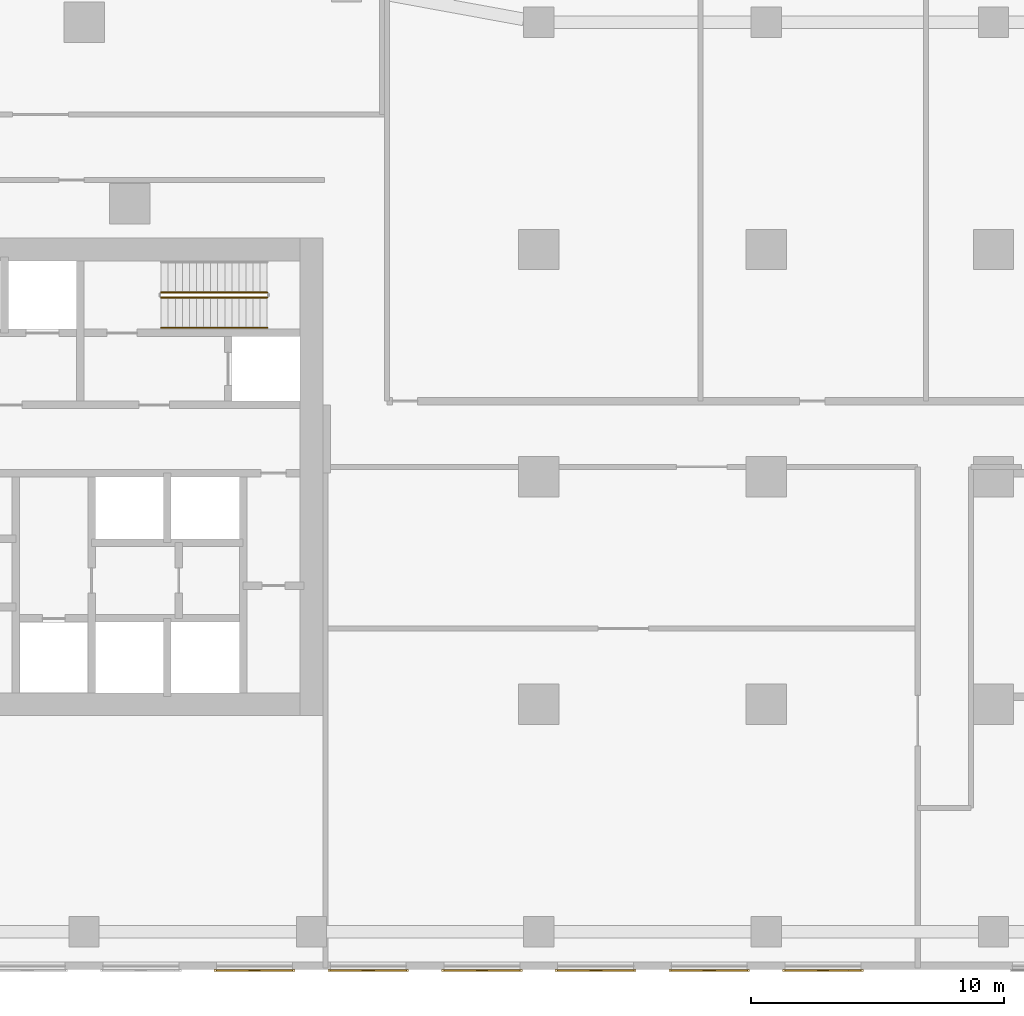
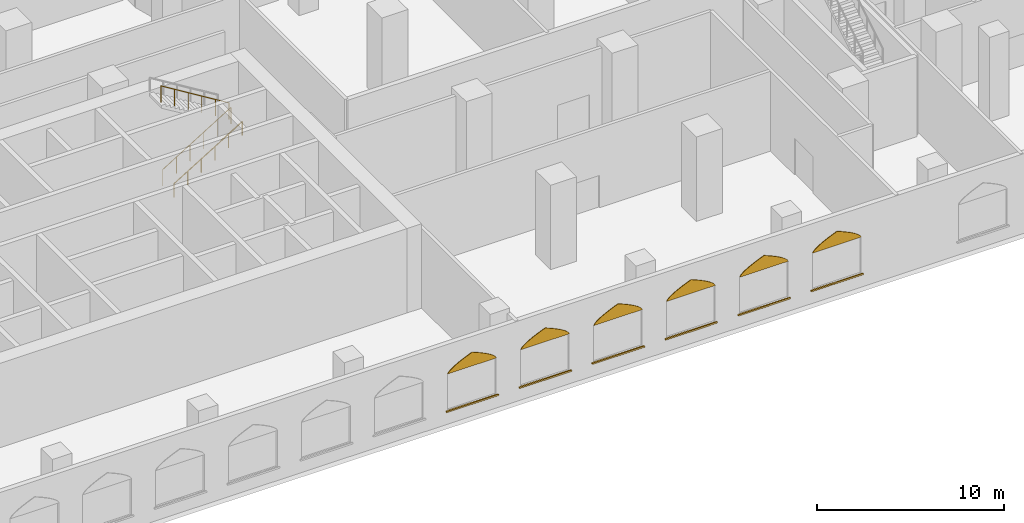
# One storey, part 21 of 31: 12 coverings, 3 railings.
"""IFC4 building model written with IfcOpenShell, lengths in metres."""

import ifcopenshell
import ifcopenshell.guid

model = None  # the IFC model being written
_history = None  # IfcOwnerHistory: only IFC2X3 demands one
_inside = {}  # id of a spatial element -> (the spatial element, [elements in it])
_under = {}  # id of a project, library or spatial element -> (it, [spatial elements below it])
_declared = {}  # id of a project -> (the project, [libraries it declares])
_typed = {}  # id of a type object -> (the type object, [elements of that type])
_made_of = {}  # id of a material, layer set ... -> (it, [elements and type objects made of it])


def new_model(schema):
    """Start an empty IFC model of exactly this schema.

    Asked for "IFC4X3", IfcOpenShell would pick the latest addendum, in which some entities
    have other attributes; the version numbers below select the first issue.
    IFC2X3 requires an IfcOwnerHistory on every rooted entity: one is made here for all.
    """
    global model, _history
    if schema == "IFC4X3":
        model = ifcopenshell.file(schema_version=(4, 3, 0, 0))
    else:
        model = ifcopenshell.file(schema=schema)
    _inside.clear()
    _under.clear()
    _declared.clear()
    _typed.clear()
    _made_of.clear()
    _history = None
    if model.schema == "IFC2X3":
        org = make("IfcOrganization", Name="unknown")
        user = make(
            "IfcPersonAndOrganization",
            ThePerson=make("IfcPerson", FamilyName="unknown"),
            TheOrganization=org,
        )
        app = make(
            "IfcApplication",
            ApplicationDeveloper=org,
            Version="unknown",
            ApplicationFullName="unknown",
            ApplicationIdentifier="unknown",
        )
        _history = make(
            "IfcOwnerHistory",
            OwningUser=user,
            OwningApplication=app,
            ChangeAction="ADDED",
            CreationDate=0,
        )
    return model


def make(cls, **values):
    """One entity of the class cls with the attributes given. An attribute that is None is left unset."""
    return model.create_entity(
        cls, **{name: value for name, value in values.items() if value is not None}
    )


def rooted(cls, **values):
    """An entity with a GlobalId (a new one), such as an element, a storey or a relation."""
    return make(cls, GlobalId=ifcopenshell.guid.new(), OwnerHistory=_history, **values)


def si_unit(unit_type, name, prefix=None):
    """IfcSIUnit, for example si_unit("LENGTHUNIT", "METRE", prefix="MILLI")."""
    return make("IfcSIUnit", UnitType=unit_type, Prefix=prefix, Name=name)


def assignment(units):
    """IfcUnitAssignment: the units of a project."""
    return None if units is None else make("IfcUnitAssignment", Units=units)


def point(xyz):
    """IfcCartesianPoint."""
    return None if xyz is None else make("IfcCartesianPoint", Coordinates=xyz)


def direction(xyz):
    """IfcDirection."""
    return None if xyz is None else make("IfcDirection", DirectionRatios=xyz)


def frame(location, z_axis=None, x_axis=None):
    """IfcAxis2Placement3D, a coordinate frame: its origin and axes. An axis left out is left unset."""
    return make(
        "IfcAxis2Placement3D",
        Location=point(location),
        Axis=direction(z_axis),
        RefDirection=direction(x_axis),
    )


def frame_2d(location, x_axis=None):
    """IfcAxis2Placement2D, a coordinate frame in the plane: its origin and x axis."""
    return make(
        "IfcAxis2Placement2D", Location=point(location), RefDirection=direction(x_axis)
    )


def origin():
    """The frame at (0, 0, 0) with its axes left unset."""
    return frame((0.0, 0.0, 0.0))


def origin_2d():
    """The frame at (0, 0) in the plane with its x axis left unset."""
    return frame_2d((0.0, 0.0))


def place(relative_to, where):
    """IfcLocalPlacement: puts the frame where relative to a parent placement (None: the world)."""
    return make(
        "IfcLocalPlacement", PlacementRelTo=relative_to, RelativePlacement=where
    )


def context(
    kind, dimensions, precision=None, world=None, true_north=None, identifier=None
):
    """IfcGeometricRepresentationContext, for example the 3D "Model" context."""
    return make(
        "IfcGeometricRepresentationContext",
        ContextIdentifier=identifier,
        ContextType=kind,
        CoordinateSpaceDimension=dimensions,
        Precision=precision,
        WorldCoordinateSystem=world,
        TrueNorth=true_north,
    )


def subcontext(parent, identifier, kind, view, scale=None):
    """IfcGeometricRepresentationSubContext, for example "Body" below "Model"."""
    return make(
        "IfcGeometricRepresentationSubContext",
        ContextIdentifier=identifier,
        ContextType=kind,
        ParentContext=parent,
        TargetScale=scale,
        TargetView=view,
    )


def project(units=None, contexts=None):
    """IfcProject with its units and contexts."""
    return rooted(
        "IfcProject",
        Name="project",
        RepresentationContexts=contexts,
        UnitsInContext=assignment(units),
    )


def spatial(cls, under=None, at=None, **own):
    """A site, building, storey or space (cls), placed at a placement, below another one or the project."""
    s = rooted(cls, ObjectPlacement=at, **own)
    if under is not None:
        _under.setdefault(under.id(), (under, []))[1].append(s)
    return s


def polyline(points):
    """IfcPolyline through the points."""
    return make("IfcPolyline", Points=[point(p) for p in points])


def profile(cls, at=None, kind="AREA", **sizes):
    """A parametric profile (cls). Its sizes go by their IFC names, for example OverallWidth=200.0."""
    return make(cls, ProfileType=kind, Position=at, **sizes)


def rectangle(**sizes):
    """IfcRectangleProfileDef."""
    return profile("IfcRectangleProfileDef", **sizes)


def circle(**sizes):
    """IfcCircleProfileDef."""
    return profile("IfcCircleProfileDef", **sizes)


def outline(outer, holes=None, kind="AREA"):
    """IfcArbitraryClosedProfileDef: a profile drawn as a closed curve; with holes, ...WithVoids."""
    if holes is None:
        return make("IfcArbitraryClosedProfileDef", ProfileType=kind, OuterCurve=outer)
    return make(
        "IfcArbitraryProfileDefWithVoids",
        ProfileType=kind,
        OuterCurve=outer,
        InnerCurves=holes,
    )


def extrude(swept, where, along, depth):
    """IfcExtrudedAreaSolid: the profile swept, set in the frame where, extruded along a direction by depth."""
    return make(
        "IfcExtrudedAreaSolid",
        SweptArea=swept,
        Position=where,
        ExtrudedDirection=direction(along),
        Depth=depth,
    )


def shape(context_of_items, identifier, shape_type, items):
    """IfcShapeRepresentation: the items that make up one representation, for example the "Body"."""
    return make(
        "IfcShapeRepresentation",
        ContextOfItems=context_of_items,
        RepresentationIdentifier=identifier,
        RepresentationType=shape_type,
        Items=items,
    )


def material(Name=None, Category=None):
    """IfcMaterial."""
    return make("IfcMaterial", Name=Name, Category=Category)


def layer(
    of_material, thickness, ventilated=None, Name=None, Category=None, Priority=None
):
    """IfcMaterialLayer: one layer of a wall or slab, of a material (None: an air gap)."""
    return make(
        "IfcMaterialLayer",
        Material=of_material,
        LayerThickness=thickness,
        IsVentilated=ventilated,
        Name=Name,
        Category=Category,
        Priority=Priority,
    )


def layer_set(layers, Name=None):
    """IfcMaterialLayerSet."""
    return make("IfcMaterialLayerSet", MaterialLayers=layers, LayerSetName=Name)


def made_of(thing, what):
    """Note that an element or type object is made of a material, layer set ...; save() writes the relation."""
    if what is not None:
        _made_of.setdefault(what.id(), (what, []))[1].append(thing)
    return thing


def type_object(cls, material=None, **own):
    """A type object (cls), such as IfcWallType, which elements share."""
    return made_of(rooted(cls, **own), material)


def element(
    cls,
    number,
    at=None,
    inside=None,
    cuts=None,
    type_object=None,
    material=None,
    context=None,
    identifier="Body",
    shape_type=None,
    held_by="IfcProductDefinitionShape",
    body=None,
    shapes=None,
    **own,
):
    """One element of the class cls, such as IfcWall. Its Tag is "e" and its number.

    at: its placement. inside: the storey or other place that contains it. cuts: it is an
    opening in that element (IfcRelVoidsElement). A single representation is given by context,
    identifier, shape_type and body (its items); several are given by shapes. held_by: the class
    of the entity that holds the representations. save() writes the other relations.
    """
    e = rooted(cls, Tag="e%d" % number, ObjectPlacement=at, **own)
    if body is not None:
        shapes = [shape(context, identifier, shape_type, body)]
    if shapes is not None:
        e.Representation = make(held_by, Representations=shapes)
    if inside is not None:
        _inside.setdefault(inside.id(), (inside, []))[1].append(e)
    if cuts is not None:
        rooted(
            "IfcRelVoidsElement", RelatingBuildingElement=cuts, RelatedOpeningElement=e
        )
    if type_object is not None:
        _typed.setdefault(type_object.id(), (type_object, []))[1].append(e)
    return made_of(e, material)


def aggregate(whole, parts):
    """IfcRelAggregates: a whole, such as a stair, and the parts it consists of."""
    return rooted("IfcRelAggregates", RelatingObject=whole, RelatedObjects=parts)


def save(model, path):
    """Write the relations noted so far, then the file.

    IfcRelAggregates (storeys below a building ...), IfcRelContainedInSpatialStructure (elements
    in a storey), IfcRelDefinesByType, IfcRelAssociatesMaterial and IfcRelDeclares: one each for
    every whole, place, type object, material and project.
    """
    for whole, parts in _under.values():
        aggregate(whole, parts)
    for where, things in _inside.values():
        rooted(
            "IfcRelContainedInSpatialStructure",
            RelatedElements=things,
            RelatingStructure=where,
        )
    for kind, things in _typed.values():
        rooted("IfcRelDefinesByType", RelatedObjects=things, RelatingType=kind)
    for what, things in _made_of.values():
        rooted("IfcRelAssociatesMaterial", RelatedObjects=things, RelatingMaterial=what)
    for by, libraries in _declared.values():
        rooted("IfcRelDeclares", RelatingContext=by, RelatedDefinitions=libraries)
    model.write(path)


model = new_model("IFC4")

# Units and contexts
model_context = context("Model", 3, precision=1e-05, world=origin(), true_north=direction((0.0, 1.0)))
body_context = subcontext(model_context, "Body", "Model", "MODEL_VIEW")
ifc_project = project(units=[si_unit("LENGTHUNIT", "METRE"), si_unit("AREAUNIT", "SQUARE_METRE"), si_unit("VOLUMEUNIT", "CUBIC_METRE"), si_unit("PLANEANGLEUNIT", "RADIAN"), si_unit("MASSUNIT", "GRAM", prefix="KILO")], contexts=[model_context])

# Site, building, storey
site_placement = place(None, origin())
site = spatial("IfcSite", under=ifc_project, at=site_placement, CompositionType="ELEMENT")
building_placement = place(site_placement, origin())
building = spatial("IfcBuilding", under=site, at=building_placement, Name="Ogive Portal Towers", CompositionType="ELEMENT")
storey_placement = place(building_placement, frame((0.0, 0.0, 8.0)))
storey = spatial("IfcBuildingStorey", under=building, at=storey_placement, Name="L01", CompositionType="ELEMENT", Elevation=8.0)

# Railings
ifc_material_1 = material(Name="Stainless steel balustrade", Category="steel")
railing_type_1 = type_object("IfcRailingType", Name="INT-GUARD", PredefinedType="GUARDRAIL", material=ifc_material_1)
railing_1_placement = place(storey_placement, frame((52.550048828125, 37.60009765625, 0.171875)))
element("IfcRailing", 1, at=railing_1_placement, inside=storey, type_object=railing_type_1, Name="L01 ST-A2 stair guard 1", PredefinedType="GUARDRAIL", context=body_context, shape_type="SweptSolid", body=[
    extrude(circle(Radius=0.02392578125, at=origin_2d()), frame((0.0, 0.0, 1.076171875), z_axis=(0.852242915053, 0.0, 0.523146264196), x_axis=(0.0, 1.0, 0.0)), (0.0, 0.0, 1.0), 4.92822265625),
    extrude(circle(Radius=0.02099609375, at=origin_2d()), origin(), (0.0, 0.0, 1.0), 1.052001953125),
    extrude(circle(Radius=0.02099609375, at=origin_2d()), frame((0.840087890625, 0.0, 0.515625)), (0.0, 0.0, 1.0), 1.052001953125),
    extrude(circle(Radius=0.02099609375, at=origin_2d()), frame((1.679931640625, 0.0, 1.03125)), (0.0, 0.0, 1.0), 1.052001953125),
    extrude(circle(Radius=0.02099609375, at=origin_2d()), frame((2.52001953125, 0.0, 1.546875)), (0.0, 0.0, 1.0), 1.052001953125),
    extrude(circle(Radius=0.02099609375, at=origin_2d()), frame((3.35986328125, 0.0, 2.0625)), (0.0, 0.0, 1.0), 1.052001953125),
    extrude(circle(Radius=0.02099609375, at=origin_2d()), frame((4.199951171875, 0.0, 2.578125)), (0.0, 0.0, 1.0), 1.052001953125),
])
railing_2_placement = place(storey_placement, frame((56.75, 37.800048828125, 2.921875)))
element("IfcRailing", 2, at=railing_2_placement, inside=storey, type_object=railing_type_1, Name="L01 ST-A2 stair guard 3", PredefinedType="GUARDRAIL", context=body_context, shape_type="SweptSolid", body=[
    extrude(circle(Radius=0.02392578125, at=origin_2d()), frame((0.0, 0.0, 1.076171875), z_axis=(-0.852242915053, 0.0, 0.523146264196), x_axis=(0.0, -1.0, 0.0)), (0.0, 0.0, 1.0), 4.92822265625),
    extrude(circle(Radius=0.02099609375, at=origin_2d()), origin(), (0.0, 0.0, 1.0), 1.052001953125),
    extrude(circle(Radius=0.02099609375, at=origin_2d()), frame((-0.840087890625, 0.0, 0.515625)), (0.0, 0.0, 1.0), 1.052001953125),
    extrude(circle(Radius=0.02099609375, at=origin_2d()), frame((-1.679931640625, 0.0, 1.03125)), (0.0, 0.0, 1.0), 1.052001953125),
    extrude(circle(Radius=0.02099609375, at=origin_2d()), frame((-2.52001953125, 0.0, 1.546875)), (0.0, 0.0, 1.0), 1.052001953125),
    extrude(circle(Radius=0.02099609375, at=origin_2d()), frame((-3.35986328125, 0.0, 2.0625)), (0.0, 0.0, 1.0), 1.052001953125),
    extrude(circle(Radius=0.02099609375, at=origin_2d()), frame((-4.199951171875, 0.0, 2.578125)), (0.0, 0.0, 1.0), 1.052001953125),
])
ifc_material_2 = material(Name="Stainless steel handrail", Category="steel")
railing_type_2 = type_object("IfcRailingType", Name="INT-HANDRAIL", PredefinedType="HANDRAIL", material=ifc_material_2)
railing_3_placement = place(storey_placement, frame((52.550048828125, 36.39990234375, 0.171875)))
element("IfcRailing", 3, at=railing_3_placement, inside=storey, type_object=railing_type_2, Name="L01 ST-A2 stair handrail 1", PredefinedType="HANDRAIL", context=body_context, shape_type="SweptSolid", body=[
    extrude(circle(Radius=0.02392578125, at=origin_2d()), frame((0.0, 0.0, 0.8759765625), z_axis=(0.852242915053, 0.0, 0.523146264196), x_axis=(0.0, 1.0, 0.0)), (0.0, 0.0, 1.0), 4.92822265625),
    extrude(circle(Radius=0.02099609375, at=origin_2d()), origin(), (0.0, 0.0, 1.0), 0.851806640625),
    extrude(circle(Radius=0.02099609375, at=origin_2d()), frame((0.840087890625, 0.0, 0.515625)), (0.0, 0.0, 1.0), 0.851806640625),
    extrude(circle(Radius=0.02099609375, at=origin_2d()), frame((1.679931640625, 0.0, 1.03125)), (0.0, 0.0, 1.0), 0.851806640625),
    extrude(circle(Radius=0.02099609375, at=origin_2d()), frame((2.52001953125, 0.0, 1.546875)), (0.0, 0.0, 1.0), 0.851806640625),
    extrude(circle(Radius=0.02099609375, at=origin_2d()), frame((3.35986328125, 0.0, 2.0625)), (0.0, 0.0, 1.0), 0.851806640625),
    extrude(circle(Radius=0.02099609375, at=origin_2d()), frame((4.199951171875, 0.0, 2.578125)), (0.0, 0.0, 1.0), 0.851806640625),
])

# Coverings
ifc_material_3 = material(Name="Limestone cladding on lightweight block wall", Category="masonry")
ifc_layer_1 = layer(ifc_material_3, 0.0400390625)
ifc_layer_set_1 = layer_set([ifc_layer_1], Name="LANCET HEAD STONE")
covering_type_1 = type_object("IfcCoveringType", Name="LANCET HEAD STONE", PredefinedType="CLADDING", material=ifc_layer_set_1)
for number, where, z_axis, x_axis, name in (
    (4, (54.75, 11.0, 3.300048828125), (0.0, 0.999950056531, 0.009994220538), (1.0, 0.0, 0.0), "Lancet head"),
    (5, (59.25, 11.0, 3.300048828125), (0.0, 0.999950056531, 0.009994220538), (1.0, 0.0, 0.0), "Lancet head"),
    (6, (63.75, 11.0, 3.300048828125), (0.0, 0.999950056531, 0.009994220538), (1.0, 0.0, 0.0), "Lancet head"),
    (7, (68.25, 11.0, 3.300048828125), (0.0, 0.999950056531, 0.009994220538), (1.0, 0.0, 0.0), "Lancet head"),
    (8, (72.75, 11.0, 3.300048828125), (0.0, 0.999950056531, 0.009994220538), (1.0, 0.0, 0.0), "Lancet head"),
    (9, (77.25, 11.0, 3.300048828125), (0.0, 0.999950056531, 0.009994220538), (1.0, 0.0, 0.0), "Lancet head"),
):
    element("IfcCovering", number, at=place(storey_placement, frame(where, z_axis=z_axis, x_axis=x_axis)), inside=storey, type_object=covering_type_1, Name=name, PredefinedType="CLADDING", context=body_context, shape_type="SweptSolid", body=[
        extrude(outline(polyline([(0.0, 0.0), (3.0, 0.0), (2.93359375, -0.11255540702230543), (2.8125, -0.22486424561759202), (2.655517578125, -0.3374196526398974), (2.4697265625, -0.4499726196669543), (2.2587890625, -0.5625280266892596), (2.025634765625, -0.6750834337115651), (1.772216796875, -0.7873922723068517), (1.5, -0.8999476793291572), (1.227783203125, -0.7873922723068517), (0.974365234375, -0.6750834337115651), (0.7412109375, -0.5625280266892596), (0.5302734375, -0.4499726196669543), (0.344482421875, -0.3374196526398974), (0.1875, -0.22486424561759202), (0.06640625, -0.11255540702230543), (0.0, 0.0)])), origin(), (0.0, 0.0, -1.0), 0.0400390625),
    ])
ifc_layer_2 = layer(ifc_material_3, 0.080078125)
ifc_layer_set_2 = layer_set([ifc_layer_2], Name="STONE SILL 80")
covering_type_2 = type_object("IfcCoveringType", Name="STONE SILL 80", PredefinedType="CLADDING", material=ifc_layer_set_2)
for number, where, z_axis, x_axis, name in (
    (10, (56.25, 10.9599609375, 0.840087890625), (0.0, 0.0, 1.0), (1.0, 0.0, 0.0), "Stone sill"),
    (11, (60.75, 10.9599609375, 0.840087890625), (0.0, 0.0, 1.0), (1.0, 0.0, 0.0), "Stone sill"),
    (12, (65.25, 10.9599609375, 0.840087890625), (0.0, 0.0, 1.0), (1.0, 0.0, 0.0), "Stone sill"),
    (13, (69.75, 10.9599609375, 0.840087890625), (0.0, 0.0, 1.0), (1.0, 0.0, 0.0), "Stone sill"),
    (14, (74.25, 10.9599609375, 0.840087890625), (0.0, 0.0, 1.0), (1.0, 0.0, 0.0), "Stone sill"),
    (15, (78.75, 10.9599609375, 0.840087890625), (0.0, 0.0, 1.0), (1.0, 0.0, 0.0), "Stone sill"),
):
    element("IfcCovering", number, at=place(storey_placement, frame(where, z_axis=z_axis, x_axis=x_axis)), inside=storey, type_object=covering_type_2, Name=name, PredefinedType="CLADDING", context=body_context, shape_type="SweptSolid", body=[
        extrude(rectangle(XDim=3.199951171875, YDim=0.080078125, at=origin_2d()), origin(), (0.0, 0.0, 1.0), 0.06005859375),
    ])

save(model, "model.ifc")
